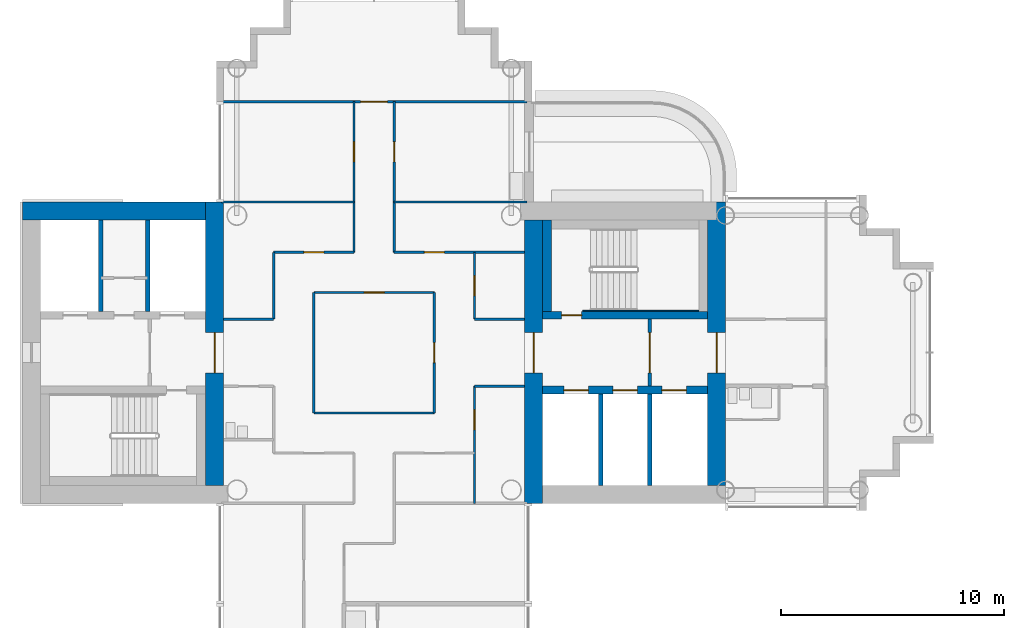
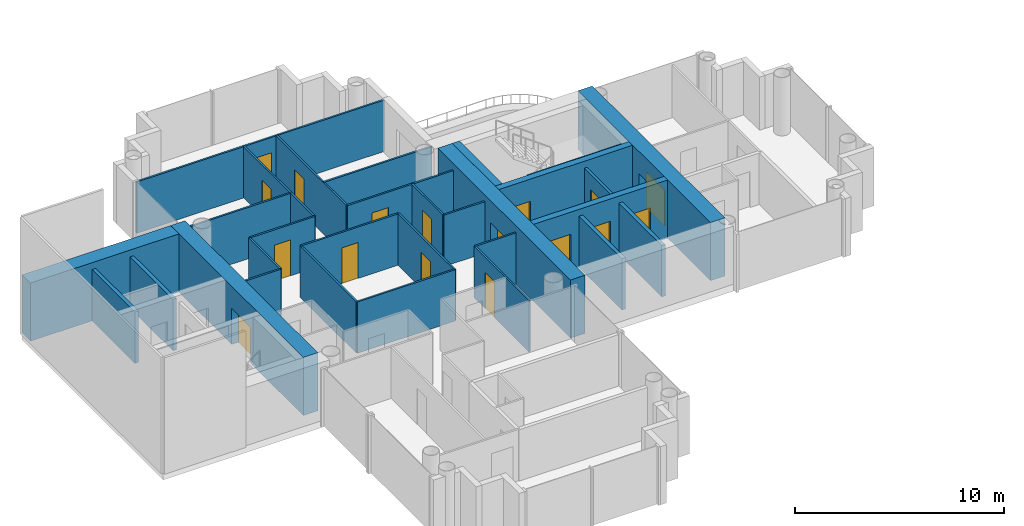
# One storey, part 8 of 19: 30 walls, 17 doors, 17 openings.
"""IFC4 building model written with IfcOpenShell, lengths in metres."""

import ifcopenshell
import ifcopenshell.guid

model = None  # the IFC model being written
_history = None  # IfcOwnerHistory: only IFC2X3 demands one
_inside = {}  # id of a spatial element -> (the spatial element, [elements in it])
_under = {}  # id of a project, library or spatial element -> (it, [spatial elements below it])
_declared = {}  # id of a project -> (the project, [libraries it declares])
_typed = {}  # id of a type object -> (the type object, [elements of that type])
_made_of = {}  # id of a material, layer set ... -> (it, [elements and type objects made of it])


def new_model(schema):
    """Start an empty IFC model of exactly this schema.

    Asked for "IFC4X3", IfcOpenShell would pick the latest addendum, in which some entities
    have other attributes; the version numbers below select the first issue.
    IFC2X3 requires an IfcOwnerHistory on every rooted entity: one is made here for all.
    """
    global model, _history
    if schema == "IFC4X3":
        model = ifcopenshell.file(schema_version=(4, 3, 0, 0))
    else:
        model = ifcopenshell.file(schema=schema)
    _inside.clear()
    _under.clear()
    _declared.clear()
    _typed.clear()
    _made_of.clear()
    _history = None
    if model.schema == "IFC2X3":
        org = make("IfcOrganization", Name="unknown")
        user = make(
            "IfcPersonAndOrganization",
            ThePerson=make("IfcPerson", FamilyName="unknown"),
            TheOrganization=org,
        )
        app = make(
            "IfcApplication",
            ApplicationDeveloper=org,
            Version="unknown",
            ApplicationFullName="unknown",
            ApplicationIdentifier="unknown",
        )
        _history = make(
            "IfcOwnerHistory",
            OwningUser=user,
            OwningApplication=app,
            ChangeAction="ADDED",
            CreationDate=0,
        )
    return model


def make(cls, **values):
    """One entity of the class cls with the attributes given. An attribute that is None is left unset."""
    return model.create_entity(
        cls, **{name: value for name, value in values.items() if value is not None}
    )


def rooted(cls, **values):
    """An entity with a GlobalId (a new one), such as an element, a storey or a relation."""
    return make(cls, GlobalId=ifcopenshell.guid.new(), OwnerHistory=_history, **values)


def si_unit(unit_type, name, prefix=None):
    """IfcSIUnit, for example si_unit("LENGTHUNIT", "METRE", prefix="MILLI")."""
    return make("IfcSIUnit", UnitType=unit_type, Prefix=prefix, Name=name)


def assignment(units):
    """IfcUnitAssignment: the units of a project."""
    return None if units is None else make("IfcUnitAssignment", Units=units)


def point(xyz):
    """IfcCartesianPoint."""
    return None if xyz is None else make("IfcCartesianPoint", Coordinates=xyz)


def direction(xyz):
    """IfcDirection."""
    return None if xyz is None else make("IfcDirection", DirectionRatios=xyz)


def frame(location, z_axis=None, x_axis=None):
    """IfcAxis2Placement3D, a coordinate frame: its origin and axes. An axis left out is left unset."""
    return make(
        "IfcAxis2Placement3D",
        Location=point(location),
        Axis=direction(z_axis),
        RefDirection=direction(x_axis),
    )


def frame_2d(location, x_axis=None):
    """IfcAxis2Placement2D, a coordinate frame in the plane: its origin and x axis."""
    return make(
        "IfcAxis2Placement2D", Location=point(location), RefDirection=direction(x_axis)
    )


def origin():
    """The frame at (0, 0, 0) with its axes left unset."""
    return frame((0.0, 0.0, 0.0))


def place(relative_to, where):
    """IfcLocalPlacement: puts the frame where relative to a parent placement (None: the world)."""
    return make(
        "IfcLocalPlacement", PlacementRelTo=relative_to, RelativePlacement=where
    )


def context(
    kind, dimensions, precision=None, world=None, true_north=None, identifier=None
):
    """IfcGeometricRepresentationContext, for example the 3D "Model" context."""
    return make(
        "IfcGeometricRepresentationContext",
        ContextIdentifier=identifier,
        ContextType=kind,
        CoordinateSpaceDimension=dimensions,
        Precision=precision,
        WorldCoordinateSystem=world,
        TrueNorth=true_north,
    )


def subcontext(parent, identifier, kind, view, scale=None):
    """IfcGeometricRepresentationSubContext, for example "Body" below "Model"."""
    return make(
        "IfcGeometricRepresentationSubContext",
        ContextIdentifier=identifier,
        ContextType=kind,
        ParentContext=parent,
        TargetScale=scale,
        TargetView=view,
    )


def project(units=None, contexts=None):
    """IfcProject with its units and contexts."""
    return rooted(
        "IfcProject",
        Name="project",
        RepresentationContexts=contexts,
        UnitsInContext=assignment(units),
    )


def spatial(cls, under=None, at=None, **own):
    """A site, building, storey or space (cls), placed at a placement, below another one or the project."""
    s = rooted(cls, ObjectPlacement=at, **own)
    if under is not None:
        _under.setdefault(under.id(), (under, []))[1].append(s)
    return s


def profile(cls, at=None, kind="AREA", **sizes):
    """A parametric profile (cls). Its sizes go by their IFC names, for example OverallWidth=200.0."""
    return make(cls, ProfileType=kind, Position=at, **sizes)


def rectangle(**sizes):
    """IfcRectangleProfileDef."""
    return profile("IfcRectangleProfileDef", **sizes)


def extrude(swept, where, along, depth):
    """IfcExtrudedAreaSolid: the profile swept, set in the frame where, extruded along a direction by depth."""
    return make(
        "IfcExtrudedAreaSolid",
        SweptArea=swept,
        Position=where,
        ExtrudedDirection=direction(along),
        Depth=depth,
    )


def shape(context_of_items, identifier, shape_type, items):
    """IfcShapeRepresentation: the items that make up one representation, for example the "Body"."""
    return make(
        "IfcShapeRepresentation",
        ContextOfItems=context_of_items,
        RepresentationIdentifier=identifier,
        RepresentationType=shape_type,
        Items=items,
    )


def material(Name=None, Category=None):
    """IfcMaterial."""
    return make("IfcMaterial", Name=Name, Category=Category)


def layer(
    of_material, thickness, ventilated=None, Name=None, Category=None, Priority=None
):
    """IfcMaterialLayer: one layer of a wall or slab, of a material (None: an air gap)."""
    return make(
        "IfcMaterialLayer",
        Material=of_material,
        LayerThickness=thickness,
        IsVentilated=ventilated,
        Name=Name,
        Category=Category,
        Priority=Priority,
    )


def layer_set(layers, Name=None):
    """IfcMaterialLayerSet."""
    return make("IfcMaterialLayerSet", MaterialLayers=layers, LayerSetName=Name)


def made_of(thing, what):
    """Note that an element or type object is made of a material, layer set ...; save() writes the relation."""
    if what is not None:
        _made_of.setdefault(what.id(), (what, []))[1].append(thing)
    return thing


def type_object(cls, material=None, **own):
    """A type object (cls), such as IfcWallType, which elements share."""
    return made_of(rooted(cls, **own), material)


def element(
    cls,
    number,
    at=None,
    inside=None,
    cuts=None,
    type_object=None,
    material=None,
    context=None,
    identifier="Body",
    shape_type=None,
    held_by="IfcProductDefinitionShape",
    body=None,
    shapes=None,
    **own,
):
    """One element of the class cls, such as IfcWall. Its Tag is "e" and its number.

    at: its placement. inside: the storey or other place that contains it. cuts: it is an
    opening in that element (IfcRelVoidsElement). A single representation is given by context,
    identifier, shape_type and body (its items); several are given by shapes. held_by: the class
    of the entity that holds the representations. save() writes the other relations.
    """
    e = rooted(cls, Tag="e%d" % number, ObjectPlacement=at, **own)
    if body is not None:
        shapes = [shape(context, identifier, shape_type, body)]
    if shapes is not None:
        e.Representation = make(held_by, Representations=shapes)
    if inside is not None:
        _inside.setdefault(inside.id(), (inside, []))[1].append(e)
    if cuts is not None:
        rooted(
            "IfcRelVoidsElement", RelatingBuildingElement=cuts, RelatedOpeningElement=e
        )
    if type_object is not None:
        _typed.setdefault(type_object.id(), (type_object, []))[1].append(e)
    return made_of(e, material)


def fill(opening, filler):
    """IfcRelFillsElement: the door or window that sits in an opening."""
    return rooted(
        "IfcRelFillsElement",
        RelatingOpeningElement=opening,
        RelatedBuildingElement=filler,
    )


def aggregate(whole, parts):
    """IfcRelAggregates: a whole, such as a stair, and the parts it consists of."""
    return rooted("IfcRelAggregates", RelatingObject=whole, RelatedObjects=parts)


def save(model, path):
    """Write the relations noted so far, then the file.

    IfcRelAggregates (storeys below a building ...), IfcRelContainedInSpatialStructure (elements
    in a storey), IfcRelDefinesByType, IfcRelAssociatesMaterial and IfcRelDeclares: one each for
    every whole, place, type object, material and project.
    """
    for whole, parts in _under.values():
        aggregate(whole, parts)
    for where, things in _inside.values():
        rooted(
            "IfcRelContainedInSpatialStructure",
            RelatedElements=things,
            RelatingStructure=where,
        )
    for kind, things in _typed.values():
        rooted("IfcRelDefinesByType", RelatedObjects=things, RelatingType=kind)
    for what, things in _made_of.values():
        rooted("IfcRelAssociatesMaterial", RelatedObjects=things, RelatingMaterial=what)
    for by, libraries in _declared.values():
        rooted("IfcRelDeclares", RelatingContext=by, RelatedDefinitions=libraries)
    model.write(path)


model = new_model("IFC4")

# Units and contexts
model_context = context("Model", 3, precision=1e-05, world=origin(), true_north=direction((0.0, 1.0)))
body_context = subcontext(model_context, "Body", "Model", "MODEL_VIEW")
ifc_project = project(units=[si_unit("LENGTHUNIT", "METRE"), si_unit("AREAUNIT", "SQUARE_METRE"), si_unit("VOLUMEUNIT", "CUBIC_METRE"), si_unit("PLANEANGLEUNIT", "RADIAN"), si_unit("MASSUNIT", "GRAM", prefix="KILO")], contexts=[model_context])

# Site, building, storey
site_placement = place(None, origin())
site = spatial("IfcSite", under=ifc_project, at=site_placement, CompositionType="ELEMENT")
building_placement = place(site_placement, origin())
building = spatial("IfcBuilding", under=site, at=building_placement, Name="Ipe Terrace Towers", CompositionType="ELEMENT")
storey_placement = place(building_placement, frame((0.0, 0.0, 147.300048828125)))
storey = spatial("IfcBuildingStorey", under=building, at=storey_placement, Name="L40", CompositionType="ELEMENT", Elevation=147.300048828125)

# Walls
ifc_material_1 = material(Name="Gypsum board partition", Category="plasterboard")
ifc_layer_1 = layer(ifc_material_1, 0.10009765625)
ifc_layer_set_1 = layer_set([ifc_layer_1], Name="Gypsum board partition 100 mm")
wall_type_1 = type_object("IfcWallType", Name="Gypsum board partition 100 mm", PredefinedType="PARTITIONING", material=ifc_layer_set_1)
wall_1_placement = place(storey_placement, frame((-40.5, 1.5, 0.0), z_axis=(0.0, 0.0, 1.0), x_axis=(0.0, 1.0, 0.0)))
element("IfcWall", 1, at=wall_1_placement, inside=storey, type_object=wall_type_1, Name="Gypsum board partition T1 L40 W02", PredefinedType="PARTITIONING", context=body_context, shape_type="SweptSolid", body=[
    extrude(rectangle(XDim=3.0, YDim=0.10009765625, at=frame_2d((1.5, 0.0))), origin(), (0.0, 0.0, 1.0), 3.0),
])
wall_2_placement = place(storey_placement, frame((-38.699951171875, -2.699951171875, 0.0), z_axis=(0.0, 0.0, 1.0), x_axis=(0.0, 1.0, 0.0)))
element("IfcWall", 2, at=wall_2_placement, inside=storey, type_object=wall_type_1, Name="Gypsum board partition T1 L40 W04", PredefinedType="PARTITIONING", context=body_context, shape_type="SweptSolid", body=[
    extrude(rectangle(XDim=5.39990234375, YDim=0.10009765625, at=frame_2d((2.699951171875, 0.0))), origin(), (0.0, 0.0, 1.0), 3.0),
])

# Wall, opening, door
wall_3_placement = place(storey_placement, frame((-36.89990234375, 4.5, 0.0), z_axis=(0.0, 0.0, 1.0), x_axis=(0.0, 1.0, 0.0)))
wall_3 = element("IfcWall", 3, at=wall_3_placement, inside=storey, type_object=wall_type_1, Name="Gypsum board partition T1 L40 W08", PredefinedType="PARTITIONING", context=body_context, shape_type="SweptSolid", body=[
    extrude(rectangle(XDim=6.75, YDim=0.10009765625, at=frame_2d((3.375, 0.0))), origin(), (0.0, 0.0, 1.0), 3.0),
])
opening_1_placement = place(wall_3_placement, frame((4.050048828125, 0.0, 0.0)))
opening_1 = element("IfcOpeningElement", 4, at=opening_1_placement, cuts=wall_3, Name="Opening T1-Z3B-10", PredefinedType="OPENING", context=body_context, shape_type="SweptSolid", body=[
    extrude(rectangle(XDim=0.89990234375, YDim=2.10009765625, at=frame_2d((0.449951171875, 1.050048828125))), frame((0.0, 0.06005859375, 0.0), z_axis=(0.0, -1.0, 0.0), x_axis=(1.0, 0.0, 0.0)), (0.0, 0.0, 1.0), 0.1201171875),
])
ifc_material_2 = material(Name="Timber door leaf", Category="wood")
door_type_1 = type_object("IfcDoorType", Name="Lounge door 900 x 2100", OperationType="NOTDEFINED", PredefinedType="DOOR", material=ifc_material_2)
door_1_placement = place(opening_1_placement, origin())
door_1 = element("IfcDoor", 5, at=door_1_placement, inside=storey, type_object=door_type_1, Name="Lounge door T1-Z3B-10", OperationType="SINGLE_SWING_LEFT", OverallHeight=2.10009765625, OverallWidth=0.89990234375, PredefinedType="DOOR", context=body_context, shape_type="SweptSolid", body=[
    extrude(rectangle(XDim=0.89990234375, YDim=2.10009765625, at=frame_2d((0.449951171875, 1.050048828125))), frame((0.0, 0.02490234375, 0.0), z_axis=(0.0, -1.0, 0.0), x_axis=(1.0, 0.0, 0.0)), (0.0, 0.0, 1.0), 0.050048828125),
])
fill(opening_1, door_1)

wall_4_placement = place(storey_placement, frame((-35.10009765625, 4.5, 0.0), z_axis=(0.0, 0.0, 1.0), x_axis=(0.0, 1.0, 0.0)))
wall_4 = element("IfcWall", 6, at=wall_4_placement, inside=storey, type_object=wall_type_1, Name="Gypsum board partition T1 L40 W11", PredefinedType="PARTITIONING", context=body_context, shape_type="SweptSolid", body=[
    extrude(rectangle(XDim=6.75, YDim=0.10009765625, at=frame_2d((3.375, 0.0))), origin(), (0.0, 0.0, 1.0), 3.0),
])
opening_2_placement = place(wall_4_placement, frame((4.050048828125, 0.0, 0.0)))
opening_2 = element("IfcOpeningElement", 7, at=opening_2_placement, cuts=wall_4, Name="Opening T1-Z3B-11", PredefinedType="OPENING", context=body_context, shape_type="SweptSolid", body=[
    extrude(rectangle(XDim=0.89990234375, YDim=2.10009765625, at=frame_2d((0.449951171875, 1.050048828125))), frame((0.0, 0.06005859375, 0.0), z_axis=(0.0, -1.0, 0.0), x_axis=(1.0, 0.0, 0.0)), (0.0, 0.0, 1.0), 0.1201171875),
])
door_2_placement = place(opening_2_placement, origin())
door_2 = element("IfcDoor", 8, at=door_2_placement, inside=storey, type_object=door_type_1, Name="Lounge door T1-Z3B-11", OperationType="SINGLE_SWING_RIGHT", OverallHeight=2.10009765625, OverallWidth=0.89990234375, PredefinedType="DOOR", context=body_context, shape_type="SweptSolid", body=[
    extrude(rectangle(XDim=0.89990234375, YDim=2.10009765625, at=frame_2d((0.449951171875, 1.050048828125))), frame((0.0, 0.02490234375, 0.0), z_axis=(0.0, -1.0, 0.0), x_axis=(1.0, 0.0, 0.0)), (0.0, 0.0, 1.0), 0.050048828125),
])
fill(opening_2, door_2)

wall_5_placement = place(storey_placement, frame((-33.300048828125, -2.699951171875, 0.0), z_axis=(0.0, 0.0, 1.0), x_axis=(0.0, 1.0, 0.0)))
wall_5 = element("IfcWall", 9, at=wall_5_placement, inside=storey, type_object=wall_type_1, Name="Gypsum board partition T1 L40 W12", PredefinedType="PARTITIONING", context=body_context, shape_type="SweptSolid", body=[
    extrude(rectangle(XDim=5.39990234375, YDim=0.10009765625, at=frame_2d((2.699951171875, 0.0))), origin(), (0.0, 0.0, 1.0), 3.0),
])
opening_3_placement = place(wall_5_placement, frame((2.25, 0.0, 0.0)))
opening_3 = element("IfcOpeningElement", 10, at=opening_3_placement, cuts=wall_5, Name="Opening T1-Z3B-02", PredefinedType="OPENING", context=body_context, shape_type="SweptSolid", body=[
    extrude(rectangle(XDim=0.89990234375, YDim=2.10009765625, at=frame_2d((0.449951171875, 1.050048828125))), frame((0.0, 0.06005859375, 0.0), z_axis=(0.0, -1.0, 0.0), x_axis=(1.0, 0.0, 0.0)), (0.0, 0.0, 1.0), 0.1201171875),
])
door_3_placement = place(opening_3_placement, origin())
door_3 = element("IfcDoor", 11, at=door_3_placement, inside=storey, type_object=door_type_1, Name="Lounge door T1-Z3B-02", OperationType="SINGLE_SWING_LEFT", OverallHeight=2.10009765625, OverallWidth=0.89990234375, PredefinedType="DOOR", context=body_context, shape_type="SweptSolid", body=[
    extrude(rectangle(XDim=0.89990234375, YDim=2.10009765625, at=frame_2d((0.449951171875, 1.050048828125))), frame((0.0, 0.02490234375, 0.0), z_axis=(0.0, -1.0, 0.0), x_axis=(1.0, 0.0, 0.0)), (0.0, 0.0, 1.0), 0.050048828125),
])
fill(opening_3, door_3)

wall_6_placement = place(storey_placement, frame((-31.5, -6.75, 0.0), z_axis=(0.0, 0.0, 1.0), x_axis=(0.0, 1.0, 0.0)))
wall_6 = element("IfcWall", 12, at=wall_6_placement, inside=storey, type_object=wall_type_1, Name="Gypsum board partition T1 L40 W13", PredefinedType="PARTITIONING", context=body_context, shape_type="SweptSolid", body=[
    extrude(rectangle(XDim=5.25, YDim=0.10009765625, at=frame_2d((2.625, 0.0))), origin(), (0.0, 0.0, 1.0), 3.0),
])
opening_4_placement = place(wall_6_placement, frame((3.300048828125, 0.0, 0.0)))
opening_4 = element("IfcOpeningElement", 13, at=opening_4_placement, cuts=wall_6, Name="Opening T1-Z3B-09", PredefinedType="OPENING", context=body_context, shape_type="SweptSolid", body=[
    extrude(rectangle(XDim=0.89990234375, YDim=2.10009765625, at=frame_2d((0.449951171875, 1.050048828125))), frame((0.0, 0.06005859375, 0.0), z_axis=(0.0, -1.0, 0.0), x_axis=(1.0, 0.0, 0.0)), (0.0, 0.0, 1.0), 0.1201171875),
])
door_4_placement = place(opening_4_placement, origin())
door_4 = element("IfcDoor", 14, at=door_4_placement, inside=storey, type_object=door_type_1, Name="Lounge door T1-Z3B-09", OperationType="SINGLE_SWING_RIGHT", OverallHeight=2.10009765625, OverallWidth=0.89990234375, PredefinedType="DOOR", context=body_context, shape_type="SweptSolid", body=[
    extrude(rectangle(XDim=0.89990234375, YDim=2.10009765625, at=frame_2d((0.449951171875, 1.050048828125))), frame((0.0, 0.02490234375, 0.0), z_axis=(0.0, -1.0, 0.0), x_axis=(1.0, 0.0, 0.0)), (0.0, 0.0, 1.0), 0.050048828125),
])
fill(opening_4, door_4)

wall_7_placement = place(storey_placement, frame((-31.5, 1.5, 0.0), z_axis=(0.0, 0.0, 1.0), x_axis=(0.0, 1.0, 0.0)))
wall_7 = element("IfcWall", 15, at=wall_7_placement, inside=storey, type_object=wall_type_1, Name="Gypsum board partition T1 L40 W14", PredefinedType="PARTITIONING", context=body_context, shape_type="SweptSolid", body=[
    extrude(rectangle(XDim=3.0, YDim=0.10009765625, at=frame_2d((1.5, 0.0))), origin(), (0.0, 0.0, 1.0), 3.0),
])
opening_5_placement = place(wall_7_placement, frame((1.050048828125, 0.0, 0.0)))
opening_5 = element("IfcOpeningElement", 16, at=opening_5_placement, cuts=wall_7, Name="Opening T1-Z3B-05", PredefinedType="OPENING", context=body_context, shape_type="SweptSolid", body=[
    extrude(rectangle(XDim=0.89990234375, YDim=2.10009765625, at=frame_2d((0.449951171875, 1.050048828125))), frame((0.0, 0.06005859375, 0.0), z_axis=(0.0, -1.0, 0.0), x_axis=(1.0, 0.0, 0.0)), (0.0, 0.0, 1.0), 0.1201171875),
])
door_5_placement = place(opening_5_placement, origin())
door_5 = element("IfcDoor", 17, at=door_5_placement, inside=storey, type_object=door_type_1, Name="Lounge door T1-Z3B-05", OperationType="SINGLE_SWING_RIGHT", OverallHeight=2.10009765625, OverallWidth=0.89990234375, PredefinedType="DOOR", context=body_context, shape_type="SweptSolid", body=[
    extrude(rectangle(XDim=0.89990234375, YDim=2.10009765625, at=frame_2d((0.449951171875, 1.050048828125))), frame((0.0, 0.02490234375, 0.0), z_axis=(0.0, -1.0, 0.0), x_axis=(1.0, 0.0, 0.0)), (0.0, 0.0, 1.0), 0.050048828125),
])
fill(opening_5, door_5)

# Walls
wall_8_placement = place(storey_placement, frame((-38.699951171875, -2.699951171875, 0.0), z_axis=(0.0, 0.0, 1.0), x_axis=(1.0, 0.0, 0.0)))
element("IfcWall", 18, at=wall_8_placement, inside=storey, type_object=wall_type_1, Name="Gypsum board partition T1 L40 W29", PredefinedType="PARTITIONING", context=body_context, shape_type="SweptSolid", body=[
    extrude(rectangle(XDim=5.39990234375, YDim=0.10009765625, at=frame_2d((2.699951171875, 0.0))), origin(), (0.0, 0.0, 1.0), 3.0),
])
for number, where, z_axis, x_axis, name in (
    (19, (-31.5, -1.5, 0.0), (0.0, 0.0, 1.0), (1.0, 0.0, 0.0), "Gypsum board partition T1 L40 W31"),
    (20, (-42.75, 1.5, 0.0), (0.0, 0.0, 1.0), (1.0, 0.0, 0.0), "Gypsum board partition T1 L40 W33"),
    (21, (-31.5, 1.5, 0.0), (0.0, 0.0, 1.0), (1.0, 0.0, 0.0), "Gypsum board partition T1 L40 W34"),
):
    element("IfcWall", number, at=place(storey_placement, frame(where, z_axis=z_axis, x_axis=x_axis)), inside=storey, type_object=wall_type_1, Name=name, PredefinedType="PARTITIONING", context=body_context, shape_type="SweptSolid", body=[
        extrude(rectangle(XDim=2.25, YDim=0.10009765625, at=frame_2d((1.125, 0.0))), origin(), (0.0, 0.0, 1.0), 3.0),
    ])

# Wall, opening, door
wall_9_placement = place(storey_placement, frame((-38.699951171875, 2.699951171875, 0.0), z_axis=(0.0, 0.0, 1.0), x_axis=(1.0, 0.0, 0.0)))
wall_9 = element("IfcWall", 22, at=wall_9_placement, inside=storey, type_object=wall_type_1, Name="Gypsum board partition T1 L40 W36", PredefinedType="PARTITIONING", context=body_context, shape_type="SweptSolid", body=[
    extrude(rectangle(XDim=5.39990234375, YDim=0.10009765625, at=frame_2d((2.699951171875, 0.0))), origin(), (0.0, 0.0, 1.0), 3.0),
])
opening_6_placement = place(wall_9_placement, frame((2.25, 0.0, 0.0)))
opening_6 = element("IfcOpeningElement", 23, at=opening_6_placement, cuts=wall_9, Name="Opening T1-Z3B-01", PredefinedType="OPENING", context=body_context, shape_type="SweptSolid", body=[
    extrude(rectangle(XDim=0.89990234375, YDim=2.10009765625, at=frame_2d((0.449951171875, 1.050048828125))), frame((0.0, 0.06005859375, 0.0), z_axis=(0.0, -1.0, 0.0), x_axis=(1.0, 0.0, 0.0)), (0.0, 0.0, 1.0), 0.1201171875),
])
door_6_placement = place(opening_6_placement, origin())
door_6 = element("IfcDoor", 24, at=door_6_placement, inside=storey, type_object=door_type_1, Name="Lounge door T1-Z3B-01", OperationType="SINGLE_SWING_RIGHT", OverallHeight=2.10009765625, OverallWidth=0.89990234375, PredefinedType="DOOR", context=body_context, shape_type="SweptSolid", body=[
    extrude(rectangle(XDim=0.89990234375, YDim=2.10009765625, at=frame_2d((0.449951171875, 1.050048828125))), frame((0.0, 0.02490234375, 0.0), z_axis=(0.0, -1.0, 0.0), x_axis=(1.0, 0.0, 0.0)), (0.0, 0.0, 1.0), 0.050048828125),
])
fill(opening_6, door_6)

wall_10_placement = place(storey_placement, frame((-40.5, 4.5, 0.0), z_axis=(0.0, 0.0, 1.0), x_axis=(1.0, 0.0, 0.0)))
wall_10 = element("IfcWall", 25, at=wall_10_placement, inside=storey, type_object=wall_type_1, Name="Gypsum board partition T1 L40 W37", PredefinedType="PARTITIONING", context=body_context, shape_type="SweptSolid", body=[
    extrude(rectangle(XDim=3.60009765625, YDim=0.10009765625, at=frame_2d((1.800048828125, 0.0))), origin(), (0.0, 0.0, 1.0), 3.0),
])
opening_7_placement = place(wall_10_placement, frame((1.35009765625, 0.0, 0.0)))
opening_7 = element("IfcOpeningElement", 26, at=opening_7_placement, cuts=wall_10, Name="Opening T1-Z3B-06", PredefinedType="OPENING", context=body_context, shape_type="SweptSolid", body=[
    extrude(rectangle(XDim=0.89990234375, YDim=2.10009765625, at=frame_2d((0.449951171875, 1.050048828125))), frame((0.0, 0.06005859375, 0.0), z_axis=(0.0, -1.0, 0.0), x_axis=(1.0, 0.0, 0.0)), (0.0, 0.0, 1.0), 0.1201171875),
])
door_7_placement = place(opening_7_placement, origin())
door_7 = element("IfcDoor", 27, at=door_7_placement, inside=storey, type_object=door_type_1, Name="Lounge door T1-Z3B-06", OperationType="SINGLE_SWING_LEFT", OverallHeight=2.10009765625, OverallWidth=0.89990234375, PredefinedType="DOOR", context=body_context, shape_type="SweptSolid", body=[
    extrude(rectangle(XDim=0.89990234375, YDim=2.10009765625, at=frame_2d((0.449951171875, 1.050048828125))), frame((0.0, 0.02490234375, 0.0), z_axis=(0.0, -1.0, 0.0), x_axis=(1.0, 0.0, 0.0)), (0.0, 0.0, 1.0), 0.050048828125),
])
fill(opening_7, door_7)

wall_11_placement = place(storey_placement, frame((-35.10009765625, 4.5, 0.0), z_axis=(0.0, 0.0, 1.0), x_axis=(1.0, 0.0, 0.0)))
wall_11 = element("IfcWall", 28, at=wall_11_placement, inside=storey, type_object=wall_type_1, Name="Gypsum board partition T1 L40 W38", PredefinedType="PARTITIONING", context=body_context, shape_type="SweptSolid", body=[
    extrude(rectangle(XDim=5.85009765625, YDim=0.10009765625, at=frame_2d((2.925048828125, 0.0))), origin(), (0.0, 0.0, 1.0), 3.0),
])
opening_8_placement = place(wall_11_placement, frame((1.35009765625, 0.0, 0.0)))
opening_8 = element("IfcOpeningElement", 29, at=opening_8_placement, cuts=wall_11, Name="Opening T1-Z3B-04", PredefinedType="OPENING", context=body_context, shape_type="SweptSolid", body=[
    extrude(rectangle(XDim=0.89990234375, YDim=2.10009765625, at=frame_2d((0.449951171875, 1.050048828125))), frame((0.0, 0.06005859375, 0.0), z_axis=(0.0, -1.0, 0.0), x_axis=(1.0, 0.0, 0.0)), (0.0, 0.0, 1.0), 0.1201171875),
])
door_8_placement = place(opening_8_placement, origin())
door_8 = element("IfcDoor", 30, at=door_8_placement, inside=storey, type_object=door_type_1, Name="Lounge door T1-Z3B-04", OperationType="SINGLE_SWING_RIGHT", OverallHeight=2.10009765625, OverallWidth=0.89990234375, PredefinedType="DOOR", context=body_context, shape_type="SweptSolid", body=[
    extrude(rectangle(XDim=0.89990234375, YDim=2.10009765625, at=frame_2d((0.449951171875, 1.050048828125))), frame((0.0, 0.02490234375, 0.0), z_axis=(0.0, -1.0, 0.0), x_axis=(1.0, 0.0, 0.0)), (0.0, 0.0, 1.0), 0.050048828125),
])
fill(opening_8, door_8)

# Walls
for number, where, z_axis, x_axis, name in (
    (31, (-42.85009765625, 6.75, 0.0), (0.0, 0.0, 1.0), (1.0, 0.0, 0.0), "Gypsum board partition T1 L40 W39"),
    (32, (-35.10009765625, 6.75, 0.0), (0.0, 0.0, 1.0), (1.0, 0.0, 0.0), "Gypsum board partition T1 L40 W40"),
):
    element("IfcWall", number, at=place(storey_placement, frame(where, z_axis=z_axis, x_axis=x_axis)), inside=storey, type_object=wall_type_1, Name=name, PredefinedType="PARTITIONING", context=body_context, shape_type="SweptSolid", body=[
        extrude(rectangle(XDim=5.9501953125, YDim=0.10009765625, at=frame_2d((2.97509765625, 0.0))), origin(), (0.0, 0.0, 1.0), 3.0),
    ])

# Wall, opening, door
wall_12_placement = place(storey_placement, frame((-42.85009765625, 11.25, 0.0), z_axis=(0.0, 0.0, 1.0), x_axis=(1.0, 0.0, 0.0)))
wall_12 = element("IfcWall", 33, at=wall_12_placement, inside=storey, type_object=wall_type_1, Name="Gypsum board partition T1 L40 W41", PredefinedType="PARTITIONING", context=body_context, shape_type="SweptSolid", body=[
    extrude(rectangle(XDim=13.7001953125, YDim=0.10009765625, at=frame_2d((6.85009765625, 0.0))), origin(), (0.0, 0.0, 1.0), 3.0),
])
opening_9_placement = place(wall_12_placement, frame((6.25, 0.0, 0.0)))
opening_9 = element("IfcOpeningElement", 34, at=opening_9_placement, cuts=wall_12, Name="Opening T1-Z3B-12", PredefinedType="OPENING", context=body_context, shape_type="SweptSolid", body=[
    extrude(rectangle(XDim=1.199951171875, YDim=2.10009765625, at=frame_2d((0.60009765625, 1.050048828125))), frame((0.0, 0.06005859375, 0.0), z_axis=(0.0, -1.0, 0.0), x_axis=(1.0, 0.0, 0.0)), (0.0, 0.0, 1.0), 0.1201171875),
])
ifc_material_3 = material(Name="Timber door leaf", Category="wood")
door_type_2 = type_object("IfcDoorType", Name="Lounge door 1200 x 2100", OperationType="NOTDEFINED", PredefinedType="DOOR", material=ifc_material_3)
door_9_placement = place(opening_9_placement, origin())
door_9 = element("IfcDoor", 35, at=door_9_placement, inside=storey, type_object=door_type_2, Name="Lounge door T1-Z3B-12", OperationType="SINGLE_SWING_LEFT", OverallHeight=2.10009765625, OverallWidth=1.199951171875, PredefinedType="DOOR", context=body_context, shape_type="SweptSolid", body=[
    extrude(rectangle(XDim=1.199951171875, YDim=2.10009765625, at=frame_2d((0.60009765625, 1.050048828125))), frame((0.0, 0.02490234375, 0.0), z_axis=(0.0, -1.0, 0.0), x_axis=(1.0, 0.0, 0.0)), (0.0, 0.0, 1.0), 0.050048828125),
])
fill(opening_9, door_9)

ifc_material_4 = material(Name="Gypsum board partition", Category="plasterboard")
ifc_layer_2 = layer(ifc_material_4, 0.14990234375)
ifc_layer_set_2 = layer_set([ifc_layer_2], Name="Gypsum board partition 150 mm")
wall_type_2 = type_object("IfcWallType", Name="Gypsum board partition 150 mm", PredefinedType="PARTITIONING", material=ifc_layer_set_2)
wall_13_placement = place(storey_placement, frame((-23.64990234375, -1.5, 0.0), z_axis=(0.0, 0.0, 1.0), x_axis=(0.0, 1.0, 0.0)))
wall_13 = element("IfcWall", 36, at=wall_13_placement, inside=storey, type_object=wall_type_2, Name="Gypsum board partition T1 L40 t1c1-lobby-wall", PredefinedType="PARTITIONING", context=body_context, shape_type="SweptSolid", body=[
    extrude(rectangle(XDim=3.0, YDim=0.14990234375, at=frame_2d((1.5, 0.0))), origin(), (0.0, 0.0, 1.0), 3.0),
])
opening_10_placement = place(wall_13_placement, frame((0.60009765625, 0.0, 0.0)))
opening_10 = element("IfcOpeningElement", 37, at=opening_10_placement, cuts=wall_13, Name="Opening T1C1-VD", PredefinedType="OPENING", context=body_context, shape_type="SweptSolid", body=[
    extrude(rectangle(XDim=1.800048828125, YDim=2.10009765625, at=frame_2d((0.89990234375, 1.050048828125))), frame((0.0, 0.0849609375, 0.0), z_axis=(0.0, -1.0, 0.0), x_axis=(1.0, 0.0, 0.0)), (0.0, 0.0, 1.0), 0.169921875),
])
ifc_material_5 = material(Name="Fire-rated timber door leaf", Category="wood")
door_type_3 = type_object("IfcDoorType", Name="Lobby door 1800 x 2100 FD60", OperationType="NOTDEFINED", PredefinedType="DOOR", material=ifc_material_5)
door_10_placement = place(opening_10_placement, origin())
door_10 = element("IfcDoor", 38, at=door_10_placement, inside=storey, type_object=door_type_3, Name="Lobby door T1C1-VD", OperationType="SINGLE_SWING_LEFT", OverallHeight=2.10009765625, OverallWidth=1.800048828125, PredefinedType="DOOR", context=body_context, shape_type="SweptSolid", body=[
    extrude(rectangle(XDim=1.800048828125, YDim=2.10009765625, at=frame_2d((0.89990234375, 1.050048828125))), frame((0.0, 0.02490234375, 0.0), z_axis=(0.0, -1.0, 0.0), x_axis=(1.0, 0.0, 0.0)), (0.0, 0.0, 1.0), 0.050048828125),
])
fill(opening_10, door_10)

# Walls
ifc_material_6 = material(Name="Gypsum board party wall", Category="plasterboard")
ifc_layer_3 = layer(ifc_material_6, 0.199951171875)
ifc_layer_set_3 = layer_set([ifc_layer_3], Name="Gypsum board party wall 200 mm")
wall_type_3 = type_object("IfcWallType", Name="Gypsum board party wall 200 mm", PredefinedType="SOLIDWALL", material=ifc_layer_set_3)
for number, where, z_axis, x_axis, name in (
    (39, (-25.85009765625, -5.949951171875, 0.0), (0.0, 0.0, 1.0), (0.0, 1.0, 0.0), "Gypsum board party wall T1 L40 t1c1-shaft-div1"),
    (40, (-23.64990234375, -5.949951171875, 0.0), (0.0, 0.0, 1.0), (0.0, 1.0, 0.0), "Gypsum board party wall T1 L40 t1c1-shaft-div2"),
    (41, (-48.25, 5.949951171875, 0.0), (0.0, 0.0, 1.0), (0.0, -1.0, 0.0), "Gypsum board party wall T1 L40 t1c2-shaft-div2"),
    (42, (-46.14990234375, 5.949951171875, 0.0), (0.0, 0.0, 1.0), (0.0, -1.0, 0.0), "Gypsum board party wall T1 L40 t1c2-shaft-div1"),
):
    element("IfcWall", number, at=place(storey_placement, frame(where, z_axis=z_axis, x_axis=x_axis)), inside=storey, type_object=wall_type_3, Name=name, PredefinedType="SOLIDWALL", context=body_context, shape_type="SweptSolid", body=[
        extrude(rectangle(XDim=4.099853515625, YDim=0.199951171875, at=frame_2d((2.0498046875, 0.0))), origin(), (0.0, 0.0, 1.0), 3.0),
    ])

# Wall, openings, doors
ifc_material_7 = material(Name="Concrete C50/60", Category="concrete")
ifc_layer_4 = layer(ifc_material_7, 0.35009765625)
ifc_layer_set_4 = layer_set([ifc_layer_4], Name="RW350 CORE SPINE WALL 350 C50-60")
wall_type_4 = type_object("IfcWallType", Name="RW350 CORE SPINE WALL 350 C50-60", PredefinedType="SHEAR", material=ifc_layer_set_4)
wall_14_placement = place(storey_placement, frame((-28.449951171875, -1.675048828125, 0.0), z_axis=(0.0, 0.0, 1.0), x_axis=(1.0, 0.0, 0.0)))
wall_14 = element("IfcWall", 43, at=wall_14_placement, inside=storey, type_object=wall_type_4, Name="Core spine wall T1-C1-Z3-SW1", PredefinedType="SHEAR", context=body_context, shape_type="SweptSolid", body=[
    extrude(rectangle(XDim=7.39990234375, YDim=0.35009765625, at=frame_2d((3.699951171875, 0.0))), origin(), (0.0, 0.0, 1.0), 3.39990234375),
])
opening_11_placement = place(wall_14_placement, frame((0.949951171875, 0.0, 0.0)))
opening_11 = element("IfcOpeningElement", 44, at=opening_11_placement, cuts=wall_14, Name="Opening T1C1-LD1", PredefinedType="OPENING", context=body_context, shape_type="SweptSolid", body=[
    extrude(rectangle(XDim=1.10009765625, YDim=2.10009765625, at=frame_2d((0.550048828125, 1.050048828125))), frame((0.0, 0.18505859375, 0.0), z_axis=(0.0, -1.0, 0.0), x_axis=(1.0, 0.0, 0.0)), (0.0, 0.0, 1.0), 0.3701171875),
])
opening_12_placement = place(wall_14_placement, frame((3.14990234375, 0.0, 0.0)))
opening_12 = element("IfcOpeningElement", 45, at=opening_12_placement, cuts=wall_14, Name="Opening T1C1-LD2", PredefinedType="OPENING", context=body_context, shape_type="SweptSolid", body=[
    extrude(rectangle(XDim=1.10009765625, YDim=2.10009765625, at=frame_2d((0.550048828125, 1.050048828125))), frame((0.0, 0.18505859375, 0.0), z_axis=(0.0, -1.0, 0.0), x_axis=(1.0, 0.0, 0.0)), (0.0, 0.0, 1.0), 0.3701171875),
])
opening_13_placement = place(wall_14_placement, frame((5.35009765625, 0.0, 0.0)))
opening_13 = element("IfcOpeningElement", 46, at=opening_13_placement, cuts=wall_14, Name="Opening T1C1-LD3", PredefinedType="OPENING", context=body_context, shape_type="SweptSolid", body=[
    extrude(rectangle(XDim=1.10009765625, YDim=2.10009765625, at=frame_2d((0.550048828125, 1.050048828125))), frame((0.0, 0.18505859375, 0.0), z_axis=(0.0, -1.0, 0.0), x_axis=(1.0, 0.0, 0.0)), (0.0, 0.0, 1.0), 0.3701171875),
])
ifc_material_8 = material(Name="Fire-rated timber door leaf", Category="wood")
door_type_4 = type_object("IfcDoorType", Name="Sliding door 1100 x 2100 FD60", OperationType="SLIDING_TO_LEFT", PredefinedType="DOOR", material=ifc_material_8)
door_11_placement = place(opening_11_placement, origin())
door_11 = element("IfcDoor", 47, at=door_11_placement, inside=storey, type_object=door_type_4, Name="Sliding door T1C1-LD1", OperationType="SLIDING_TO_LEFT", OverallHeight=2.10009765625, OverallWidth=1.10009765625, PredefinedType="DOOR", context=body_context, shape_type="SweptSolid", body=[
    extrude(rectangle(XDim=1.10009765625, YDim=2.10009765625, at=frame_2d((0.550048828125, 1.050048828125))), frame((0.0, 0.02490234375, 0.0), z_axis=(0.0, -1.0, 0.0), x_axis=(1.0, 0.0, 0.0)), (0.0, 0.0, 1.0), 0.050048828125),
])
fill(opening_11, door_11)
door_12_placement = place(opening_12_placement, origin())
door_12 = element("IfcDoor", 48, at=door_12_placement, inside=storey, type_object=door_type_4, Name="Sliding door T1C1-LD2", OperationType="SLIDING_TO_LEFT", OverallHeight=2.10009765625, OverallWidth=1.10009765625, PredefinedType="DOOR", context=body_context, shape_type="SweptSolid", body=[
    extrude(rectangle(XDim=1.10009765625, YDim=2.10009765625, at=frame_2d((0.550048828125, 1.050048828125))), frame((0.0, 0.02490234375, 0.0), z_axis=(0.0, -1.0, 0.0), x_axis=(1.0, 0.0, 0.0)), (0.0, 0.0, 1.0), 0.050048828125),
])
fill(opening_12, door_12)
door_13_placement = place(opening_13_placement, origin())
door_13 = element("IfcDoor", 49, at=door_13_placement, inside=storey, type_object=door_type_4, Name="Sliding door T1C1-LD3", OperationType="SLIDING_TO_LEFT", OverallHeight=2.10009765625, OverallWidth=1.10009765625, PredefinedType="DOOR", context=body_context, shape_type="SweptSolid", body=[
    extrude(rectangle(XDim=1.10009765625, YDim=2.10009765625, at=frame_2d((0.550048828125, 1.050048828125))), frame((0.0, 0.02490234375, 0.0), z_axis=(0.0, -1.0, 0.0), x_axis=(1.0, 0.0, 0.0)), (0.0, 0.0, 1.0), 0.050048828125),
])
fill(opening_13, door_13)

# Wall, opening, door
wall_15_placement = place(storey_placement, frame((-28.449951171875, 1.675048828125, 0.0), z_axis=(0.0, 0.0, 1.0), x_axis=(1.0, 0.0, 0.0)))
wall_15 = element("IfcWall", 50, at=wall_15_placement, inside=storey, type_object=wall_type_4, Name="Core spine wall T1-C1-Z3-SW2", PredefinedType="SHEAR", context=body_context, shape_type="SweptSolid", body=[
    extrude(rectangle(XDim=7.39990234375, YDim=0.35009765625, at=frame_2d((3.699951171875, 0.0))), origin(), (0.0, 0.0, 1.0), 3.39990234375),
])
opening_14_placement = place(wall_15_placement, frame((0.85009765625, 0.0, 0.0)))
opening_14 = element("IfcOpeningElement", 51, at=opening_14_placement, cuts=wall_15, Name="Opening T1C1-SD", PredefinedType="OPENING", context=body_context, shape_type="SweptSolid", body=[
    extrude(rectangle(XDim=0.89990234375, YDim=2.10009765625, at=frame_2d((0.449951171875, 1.050048828125))), frame((0.0, 0.18505859375, 0.0), z_axis=(0.0, -1.0, 0.0), x_axis=(1.0, 0.0, 0.0)), (0.0, 0.0, 1.0), 0.3701171875),
])
ifc_material_9 = material(Name="Fire-rated timber door leaf", Category="wood")
door_type_5 = type_object("IfcDoorType", Name="Stair door 900 x 2100 FD60", OperationType="NOTDEFINED", PredefinedType="DOOR", material=ifc_material_9)
door_14_placement = place(opening_14_placement, origin())
door_14 = element("IfcDoor", 52, at=door_14_placement, inside=storey, type_object=door_type_5, Name="Stair door T1C1-SD", OperationType="SINGLE_SWING_LEFT", OverallHeight=2.10009765625, OverallWidth=0.89990234375, PredefinedType="DOOR", context=body_context, shape_type="SweptSolid", body=[
    extrude(rectangle(XDim=0.89990234375, YDim=2.10009765625, at=frame_2d((0.449951171875, 1.050048828125))), frame((0.0, 0.02490234375, 0.0), z_axis=(0.0, -1.0, 0.0), x_axis=(1.0, 0.0, 0.0)), (0.0, 0.0, 1.0), 0.050048828125),
])
fill(opening_14, door_14)

# Walls
ifc_material_10 = material(Name="Concrete C50/60", Category="concrete")
ifc_layer_5 = layer(ifc_material_10, 0.39990234375)
ifc_layer_set_5 = layer_set([ifc_layer_5], Name="RW400 CORE INFILL WALL 400 C50-60")
wall_type_5 = type_object("IfcWallType", Name="RW400 CORE INFILL WALL 400 C50-60", PredefinedType="SHEAR", material=ifc_layer_set_5)
wall_16_placement = place(storey_placement, frame((-28.25, 1.85009765625, 0.0), z_axis=(0.0, 0.0, 1.0), x_axis=(0.0, 1.0, 0.0)))
element("IfcWall", 53, at=wall_16_placement, inside=storey, type_object=wall_type_5, Name="Core infill wall T1-C1-near", PredefinedType="SHEAR", context=body_context, shape_type="SweptSolid", body=[
    extrude(rectangle(XDim=4.099853515625, YDim=0.39990234375, at=frame_2d((2.0498046875, 0.0))), origin(), (0.0, 0.0, 1.0), 3.39990234375),
])
ifc_material_11 = material(Name="Concrete C50/60", Category="concrete")
ifc_layer_6 = layer(ifc_material_11, 0.050048828125)
ifc_layer_set_6 = layer_set([ifc_layer_6], Name="RW50 CORE INFILL WALL 50 C50-60")
wall_type_6 = type_object("IfcWallType", Name="RW50 CORE INFILL WALL 50 C50-60", PredefinedType="SHEAR", material=ifc_layer_set_6)
wall_17_placement = place(storey_placement, frame((-26.64990234375, 1.875, 0.0), z_axis=(0.0, 0.0, 1.0), x_axis=(1.0, 0.0, 0.0)))
element("IfcWall", 54, at=wall_17_placement, inside=storey, type_object=wall_type_6, Name="Core infill wall T1-C1-spine-b", PredefinedType="SHEAR", context=body_context, shape_type="SweptSolid", body=[
    extrude(rectangle(XDim=5.199951171875, YDim=0.050048828125, at=frame_2d((2.60009765625, 0.0))), origin(), (0.0, 0.0, 1.0), 3.39990234375),
])

# Wall, opening, door
ifc_material_12 = material(Name="Concrete C50/60", Category="concrete")
ifc_layer_7 = layer(ifc_material_12, 0.800048828125)
ifc_layer_set_7 = layer_set([ifc_layer_7], Name="RW800 CORE WALL 800 C50-60")
wall_type_7 = type_object("IfcWallType", Name="RW800 CORE WALL 800 C50-60", PredefinedType="SHEAR", material=ifc_layer_set_7)
wall_18_placement = place(storey_placement, frame((-20.64990234375, -5.949951171875, 0.0), z_axis=(0.0, 0.0, 1.0), x_axis=(0.0, 1.0, 0.0)))
wall_18 = element("IfcWall", 55, at=wall_18_placement, inside=storey, type_object=wall_type_7, Name="Core wall T1-C1-Z3-W02", PredefinedType="SHEAR", context=body_context, shape_type="SweptSolid", body=[
    extrude(rectangle(XDim=12.699951171875, YDim=0.800048828125, at=frame_2d((6.35009765625, 0.0))), origin(), (0.0, 0.0, 1.0), 3.39990234375),
])
opening_15_placement = place(wall_18_placement, frame((5.050048828125, 0.0, 0.0)))
opening_15 = element("IfcOpeningElement", 56, at=opening_15_placement, cuts=wall_18, Name="Opening T1C1-FD", PredefinedType="OPENING", context=body_context, shape_type="SweptSolid", body=[
    extrude(rectangle(XDim=1.800048828125, YDim=2.10009765625, at=frame_2d((0.89990234375, 1.050048828125))), frame((0.0, 0.41015625, 0.0), z_axis=(0.0, -1.0, 0.0), x_axis=(1.0, 0.0, 0.0)), (0.0, 0.0, 1.0), 0.820068359375),
])
ifc_material_13 = material(Name="Fire-rated timber door leaf", Category="wood")
door_type_6 = type_object("IfcDoorType", Name="Fire door 1800 x 2100 FD30S", OperationType="NOTDEFINED", PredefinedType="DOOR", material=ifc_material_13)
door_15_placement = place(opening_15_placement, origin())
door_15 = element("IfcDoor", 57, at=door_15_placement, inside=storey, type_object=door_type_6, Name="Fire door T1C1-FD", OperationType="SINGLE_SWING_LEFT", OverallHeight=2.10009765625, OverallWidth=1.800048828125, PredefinedType="DOOR", context=body_context, shape_type="SweptSolid", body=[
    extrude(rectangle(XDim=1.800048828125, YDim=2.10009765625, at=frame_2d((0.89990234375, 1.050048828125))), frame((0.0, 0.02490234375, 0.0), z_axis=(0.0, -1.0, 0.0), x_axis=(1.0, 0.0, 0.0)), (0.0, 0.0, 1.0), 0.050048828125),
])
fill(opening_15, door_15)

wall_19_placement = place(storey_placement, frame((-28.85009765625, 5.949951171875, 0.0), z_axis=(0.0, 0.0, 1.0), x_axis=(0.0, -1.0, 0.0)))
wall_19 = element("IfcWall", 58, at=wall_19_placement, inside=storey, type_object=wall_type_7, Name="Core wall T1-C1-Z3-W04", PredefinedType="SHEAR", context=body_context, shape_type="SweptSolid", body=[
    extrude(rectangle(XDim=12.699951171875, YDim=0.800048828125, at=frame_2d((6.35009765625, 0.0))), origin(), (0.0, 0.0, 1.0), 3.39990234375),
])
opening_16_placement = place(wall_19_placement, frame((5.050048828125, 0.0, 0.0)))
opening_16 = element("IfcOpeningElement", 59, at=opening_16_placement, cuts=wall_19, Name="Opening T1C1-ND", PredefinedType="OPENING", context=body_context, shape_type="SweptSolid", body=[
    extrude(rectangle(XDim=1.800048828125, YDim=2.10009765625, at=frame_2d((0.89990234375, 1.050048828125))), frame((0.0, 0.41015625, 0.0), z_axis=(0.0, -1.0, 0.0), x_axis=(1.0, 0.0, 0.0)), (0.0, 0.0, 1.0), 0.820068359375),
])
door_16_placement = place(opening_16_placement, origin())
door_16 = element("IfcDoor", 60, at=door_16_placement, inside=storey, type_object=door_type_6, Name="Fire door T1C1-ND", OperationType="SINGLE_SWING_LEFT", OverallHeight=2.10009765625, OverallWidth=1.800048828125, PredefinedType="DOOR", context=body_context, shape_type="SweptSolid", body=[
    extrude(rectangle(XDim=1.800048828125, YDim=2.10009765625, at=frame_2d((0.89990234375, 1.050048828125))), frame((0.0, 0.02490234375, 0.0), z_axis=(0.0, -1.0, 0.0), x_axis=(1.0, 0.0, 0.0)), (0.0, 0.0, 1.0), 0.050048828125),
])
fill(opening_16, door_16)

wall_20_placement = place(storey_placement, frame((-43.14990234375, -5.949951171875, 0.0), z_axis=(0.0, 0.0, 1.0), x_axis=(0.0, 1.0, 0.0)))
wall_20 = element("IfcWall", 61, at=wall_20_placement, inside=storey, type_object=wall_type_7, Name="Core wall T1-C2-Z3-W02", PredefinedType="SHEAR", context=body_context, shape_type="SweptSolid", body=[
    extrude(rectangle(XDim=12.699951171875, YDim=0.800048828125, at=frame_2d((6.35009765625, 0.0))), origin(), (0.0, 0.0, 1.0), 3.39990234375),
])
opening_17_placement = place(wall_20_placement, frame((5.050048828125, 0.0, 0.0)))
opening_17 = element("IfcOpeningElement", 62, at=opening_17_placement, cuts=wall_20, Name="Opening T1C2-ND", PredefinedType="OPENING", context=body_context, shape_type="SweptSolid", body=[
    extrude(rectangle(XDim=1.800048828125, YDim=2.10009765625, at=frame_2d((0.89990234375, 1.050048828125))), frame((0.0, 0.41015625, 0.0), z_axis=(0.0, -1.0, 0.0), x_axis=(1.0, 0.0, 0.0)), (0.0, 0.0, 1.0), 0.820068359375),
])
door_17_placement = place(opening_17_placement, origin())
door_17 = element("IfcDoor", 63, at=door_17_placement, inside=storey, type_object=door_type_6, Name="Fire door T1C2-ND", OperationType="SINGLE_SWING_LEFT", OverallHeight=2.10009765625, OverallWidth=1.800048828125, PredefinedType="DOOR", context=body_context, shape_type="SweptSolid", body=[
    extrude(rectangle(XDim=1.800048828125, YDim=2.10009765625, at=frame_2d((0.89990234375, 1.050048828125))), frame((0.0, 0.02490234375, 0.0), z_axis=(0.0, -1.0, 0.0), x_axis=(1.0, 0.0, 0.0)), (0.0, 0.0, 1.0), 0.050048828125),
])
fill(opening_17, door_17)

# Wall
wall_21_placement = place(storey_placement, frame((-43.550048828125, 6.35009765625, 0.0), z_axis=(0.0, 0.0, 1.0), x_axis=(-1.0, 0.0, 0.0)))
element("IfcWall", 64, at=wall_21_placement, inside=storey, type_object=wall_type_7, Name="Core wall T1-C2-Z3-W03", PredefinedType="SHEAR", context=body_context, shape_type="SweptSolid", body=[
    extrude(rectangle(XDim=8.199951171875, YDim=0.800048828125, at=frame_2d((4.10009765625, 0.0))), origin(), (0.0, 0.0, 1.0), 3.39990234375),
])

save(model, "model.ifc")
